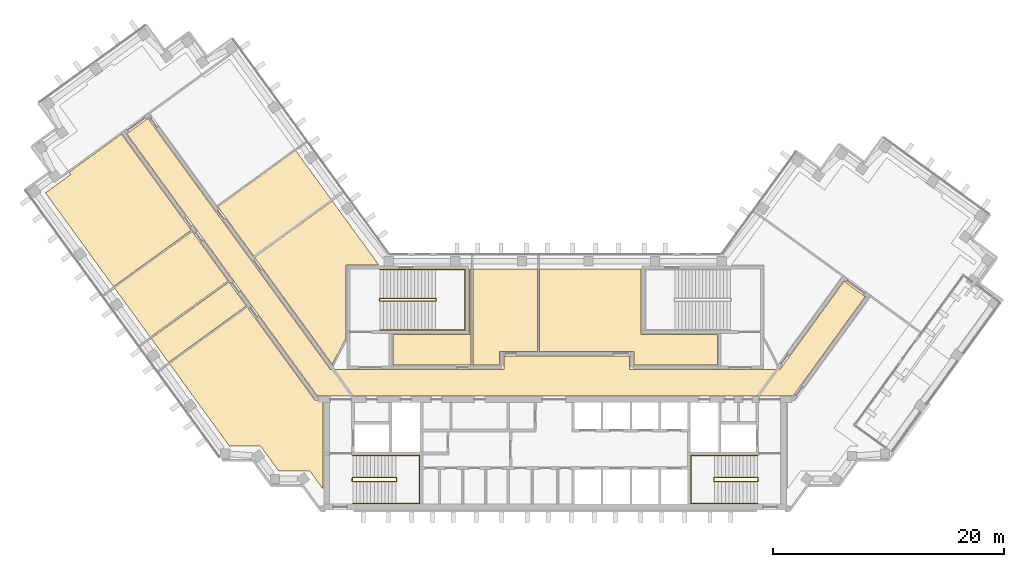
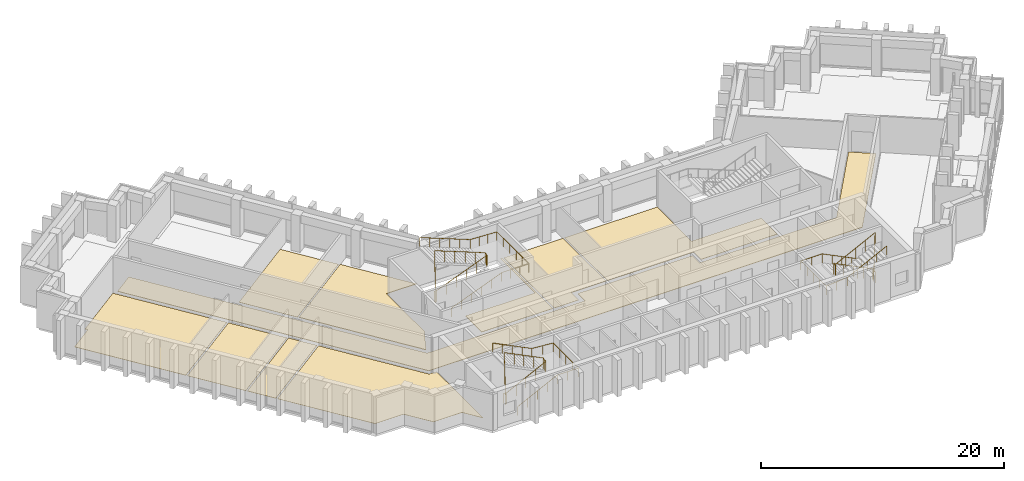
# One storey, part 8 of 10: 10 coverings, 6 railings.
"""IFC4 building model written with IfcOpenShell, lengths in metres."""

from ifc_helpers import new_model, si_unit, direction, frame, origin, origin_2d, place, context, subcontext, project, spatial, polyline, circle, outline, extrude, material, layer, layer_set, type_object, element, save


model = new_model("IFC4")

# Units and contexts
model_context = context("Model", 3, precision=1e-05, world=origin(), true_north=direction((0.0, 1.0)))
body_context = subcontext(model_context, "Body", "Model", "MODEL_VIEW")
ifc_project = project(units=[si_unit("LENGTHUNIT", "METRE"), si_unit("AREAUNIT", "SQUARE_METRE"), si_unit("VOLUMEUNIT", "CUBIC_METRE"), si_unit("PLANEANGLEUNIT", "RADIAN"), si_unit("MASSUNIT", "GRAM", prefix="KILO")], contexts=[model_context])

# Site, building, storey
site_placement = place(None, origin())
site = spatial("IfcSite", under=ifc_project, at=site_placement, CompositionType="ELEMENT")
building_placement = place(site_placement, origin())
building = spatial("IfcBuilding", under=site, at=building_placement, Name="Quipu Civic Tower", CompositionType="ELEMENT")
storey_placement = place(building_placement, frame((0.0, 0.0, 202.0)))
storey = spatial("IfcBuildingStorey", under=building, at=storey_placement, Name="L47", CompositionType="ELEMENT", Elevation=202.0)

# Coverings
ifc_material_1 = material(Name="Carpet tile on raised access floor")
ifc_layer_1 = layer(ifc_material_1, 0.02001953125)
ifc_layer_set_1 = layer_set([ifc_layer_1], Name="Carpet tile on raised access floor")
covering_type_1 = type_object("IfcCoveringType", Name="Carpet tile floor finish 20", PredefinedType="FLOORING", material=ifc_layer_set_1)
covering_1_placement = place(storey_placement, origin())
element("IfcCovering", 1, at=covering_1_placement, inside=storey, type_object=covering_type_1, Name="Carpet tile floor finish 20", PredefinedType="FLOORING", context=body_context, shape_type="SweptSolid", body=[
    extrude(outline(polyline([(-7.1279296875, 9.830078125), (-1.510009765625, 9.830078125), (-1.510009765625, 2.719970703125), (-4.818115234375, 2.719970703125), (-4.820068359375, 1.52001953125), (-7.1279296875, 1.52001953125), (-7.1279296875, 9.830078125)])), origin(), (0.0, 0.0, 1.0), 0.02001953125),
])
covering_2_placement = place(storey_placement, origin())
element("IfcCovering", 2, at=covering_2_placement, inside=storey, type_object=covering_type_1, Name="Carpet tile floor finish 20", PredefinedType="FLOORING", context=body_context, shape_type="SweptSolid", body=[
    extrude(outline(polyline([(-29.1650390625, 15.200927734375), (-22.44189453125, 20.0849609375), (-19.35107421875, 15.8291015625), (-26.073974609375, 10.946044921875), (-29.1650390625, 15.200927734375)])), origin(), (0.0, 0.0, 1.0), 0.02001953125),
])
covering_3_placement = place(storey_placement, origin())
element("IfcCovering", 3, at=covering_3_placement, inside=storey, type_object=covering_type_1, Name="Carpet tile floor finish 20", PredefinedType="FLOORING", context=body_context, shape_type="SweptSolid", body=[
    extrude(outline(polyline([(-38.10693359375, 8.198974609375), (-31.383056640625, 13.08203125), (-28.2919921875, 8.826904296875), (-35.01611328125, 3.943115234375), (-38.10693359375, 8.198974609375)])), origin(), (0.0, 0.0, 1.0), 0.02001953125),
])
covering_4_placement = place(storey_placement, origin())
element("IfcCovering", 4, at=covering_4_placement, inside=storey, type_object=covering_type_1, Name="Carpet tile floor finish 20", PredefinedType="FLOORING", context=body_context, shape_type="SweptSolid", body=[
    extrude(outline(polyline([(-33.344970703125, 1.64501953125), (-26.6220703125, 6.529052734375), (-20.77490234375, -1.51904296875), (-20.070068359375, -1.52001953125), (-20.070068359375, -9.195068359375), (-21.196044921875, -7.64599609375), (-23.89501953125, -7.64599609375), (-25.48193359375, -5.4619140625), (-28.181884765625, -5.4609375), (-33.344970703125, 1.64501953125)])), origin(), (0.0, 0.0, 1.0), 0.02001953125),
])
covering_5_placement = place(storey_placement, origin())
element("IfcCovering", 5, at=covering_5_placement, inside=storey, type_object=covering_type_1, Name="Carpet tile floor finish 20", PredefinedType="FLOORING", context=body_context, shape_type="SweptSolid", body=[
    extrude(outline(polyline([(-1.368896484375, 2.719970703125), (-1.368896484375, 9.830078125), (7.429931640625, 9.830078125), (7.430908203125, 4.179931640625), (14.030029296875, 4.179931640625), (14.030029296875, 1.52001953125), (6.820068359375, 1.52001953125), (6.818115234375, 2.719970703125), (-1.368896484375, 2.719970703125)])), origin(), (0.0, 0.0, 1.0), 0.02001953125),
])
ifc_material_2 = material(Name="Ceramic floor tile")
ifc_layer_2 = layer(ifc_material_2, 0.030029296875)
ifc_layer_set_2 = layer_set([ifc_layer_2], Name="Ceramic floor tile")
covering_type_2 = type_object("IfcCoveringType", Name="Ceramic tile floor finish 30", PredefinedType="FLOORING", material=ifc_layer_set_2)
covering_6_placement = place(storey_placement, origin())
element("IfcCovering", 6, at=covering_6_placement, inside=storey, type_object=covering_type_2, Name="Ceramic tile floor finish 30", PredefinedType="FLOORING", context=body_context, shape_type="SweptSolid", body=[
    extrude(outline(polyline([(-44.074951171875, 16.4140625), (-41.89208984375, 17.9990234375), (-42.0380859375, 18.201904296875), (-37.4990234375, 21.5), (-31.466064453125, 13.195068359375), (-38.18994140625, 8.31201171875), (-44.074951171875, 16.4140625)])), origin(), (0.0, 0.0, 1.0), 0.030029296875),
])
covering_7_placement = place(storey_placement, origin())
element("IfcCovering", 7, at=covering_7_placement, inside=storey, type_object=covering_type_2, Name="Ceramic tile floor finish 30", PredefinedType="FLOORING", context=body_context, shape_type="SweptSolid", body=[
    extrude(outline(polyline([(-14.030029296875, 4.179931640625), (-7.430908203125, 4.179931640625), (-7.429931640625, 9.830078125), (-7.26806640625, 9.830078125), (-7.26806640625, 1.52001953125), (-14.030029296875, 1.52001953125), (-14.030029296875, 4.179931640625)])), origin(), (0.0, 0.0, 1.0), 0.030029296875),
])
covering_8_placement = place(storey_placement, origin())
element("IfcCovering", 8, at=covering_8_placement, inside=storey, type_object=covering_type_2, Name="Ceramic tile floor finish 30", PredefinedType="FLOORING", context=body_context, shape_type="SweptSolid", body=[
    extrude(outline(polyline([(-34.931884765625, 3.830078125), (-28.208984375, 8.714111328125), (-26.705078125, 6.64208984375), (-33.427978515625, 1.758056640625), (-34.931884765625, 3.830078125)])), origin(), (0.0, 0.0, 1.0), 0.030029296875),
])
ifc_material_3 = material(Name="Sealed cement screed")
ifc_layer_3 = layer(ifc_material_3, 0.050048828125)
ifc_layer_set_3 = layer_set([ifc_layer_3], Name="Sealed cement screed")
covering_type_3 = type_object("IfcCoveringType", Name="Sealed screed floor finish 50", PredefinedType="FLOORING", material=ifc_layer_set_3)
covering_9_placement = place(storey_placement, origin())
element("IfcCovering", 9, at=covering_9_placement, inside=storey, type_object=covering_type_3, Name="Sealed screed floor finish 50", PredefinedType="FLOORING", context=body_context, shape_type="SweptSolid", body=[
    extrude(outline(polyline([(-25.990966796875, 10.8330078125), (-19.26806640625, 15.716064453125), (-15.238037109375, 10.169921875), (-18.070068359375, 10.1689453125), (-18.070068359375, 3.94189453125), (-19.27197265625, 1.583984375), (-25.990966796875, 10.8330078125)])), origin(), (0.0, 0.0, 1.0), 0.050048828125),
])

# Railings
ifc_material_4 = material(Name="Stainless steel", Category="steel")
railing_type_1 = type_object("IfcRailingType", Name="Stair guard 1100", PredefinedType="GUARDRAIL", material=ifc_material_4)
railing_1_placement = place(storey_placement, frame((-17.5, -8.550048828125, 0.15380859375)))
element("IfcRailing", 10, at=railing_1_placement, inside=storey, type_object=railing_type_1, Name="Stair 1 guard", PredefinedType="GUARDRAIL", context=body_context, shape_type="SweptSolid", body=[
    extrude(circle(Radius=0.02392578125, at=origin_2d()), frame((0.0, 0.0, 1.076171875), z_axis=(0.895751851347, 0.0, 0.444554407028), x_axis=(0.0, 1.0, 0.0)), (0.0, 0.0, 1.0), 4.15283203125),
    extrude(circle(Radius=0.02392578125, at=origin_2d()), frame((3.719970703125, 0.0, 2.92236328125), z_axis=(0.707106781187, 0.707106781187, 0.0), x_axis=(-0.707106781187, 0.707106781187, 0.0)), (0.0, 0.0, 1.0), 0.07080078125),
    extrude(circle(Radius=0.02392578125, at=origin_2d()), frame((3.77001953125, 0.050048828125, 2.92236328125), z_axis=(0.0, 1.0, 0.0), x_axis=(-1.0, 0.0, 0.0)), (0.0, 0.0, 1.0), 0.25),
    extrude(circle(Radius=0.02392578125, at=origin_2d()), frame((3.77001953125, 0.300048828125, 2.92236328125), z_axis=(-0.295599637079, 0.295599637079, 0.908428152975), x_axis=(-0.707106781187, -0.707106781187, 0.0)), (0.0, 0.0, 1.0), 0.16943359375),
    extrude(circle(Radius=0.02392578125, at=origin_2d()), frame((3.719970703125, 0.35009765625, 3.076171875), z_axis=(-0.895751851347, 0.0, 0.444554407028), x_axis=(0.0, -1.0, 0.0)), (0.0, 0.0, 1.0), 4.15283203125),
    extrude(circle(Radius=0.02392578125, at=origin_2d()), frame((0.0, 0.35009765625, 4.92236328125), z_axis=(-0.012476181752, -0.074796231092, -0.997120789425), x_axis=(0.986372223864, -0.164529134168, 0.0)), (0.0, 0.0, 1.0), 4.011474609375),
    extrude(circle(Radius=0.02392578125, at=origin_2d()), frame((-0.050048828125, 0.050048828125, 0.92236328125), z_axis=(0.0, 1.0, 0.0), x_axis=(-1.0, 0.0, 0.0)), (0.0, 0.0, 1.0), 0.25),
    extrude(circle(Radius=0.02099609375, at=origin_2d()), origin(), (0.0, 0.0, 1.0), 1.052001953125),
    extrude(circle(Radius=0.02099609375, at=origin_2d()), frame((0.929931640625, 0.0, 0.46142578125)), (0.0, 0.0, 1.0), 1.052001953125),
    extrude(circle(Radius=0.02099609375, at=origin_2d()), frame((1.85986328125, 0.0, 0.923095703125)), (0.0, 0.0, 1.0), 1.052001953125),
    extrude(circle(Radius=0.02099609375, at=origin_2d()), frame((2.7900390625, 0.0, 1.384765625)), (0.0, 0.0, 1.0), 1.052001953125),
    extrude(circle(Radius=0.02099609375, at=origin_2d()), frame((3.719970703125, 0.0, 1.84619140625)), (0.0, 0.0, 1.0), 1.052001953125),
    extrude(circle(Radius=0.02099609375, at=origin_2d()), frame((3.77001953125, 0.050048828125, 1.84619140625)), (0.0, 0.0, 1.0), 1.052001953125),
    extrude(circle(Radius=0.02099609375, at=origin_2d()), frame((3.77001953125, 0.300048828125, 1.84619140625)), (0.0, 0.0, 1.0), 1.052001953125),
    extrude(circle(Radius=0.02099609375, at=origin_2d()), frame((3.719970703125, 0.35009765625, 2.0)), (0.0, 0.0, 1.0), 1.052001953125),
    extrude(circle(Radius=0.02099609375, at=origin_2d()), frame((2.7900390625, 0.35009765625, 2.46142578125)), (0.0, 0.0, 1.0), 1.052001953125),
    extrude(circle(Radius=0.02099609375, at=origin_2d()), frame((1.85986328125, 0.35009765625, 2.923095703125)), (0.0, 0.0, 1.0), 1.052001953125),
    extrude(circle(Radius=0.02099609375, at=origin_2d()), frame((0.929931640625, 0.35009765625, 3.384765625)), (0.0, 0.0, 1.0), 1.052001953125),
    extrude(circle(Radius=0.02099609375, at=origin_2d()), frame((0.0, 0.35009765625, 3.84619140625)), (0.0, 0.0, 1.0), 1.052001953125),
    extrude(circle(Radius=0.02099609375, at=origin_2d()), frame((-0.012451171875, 0.275146484375, 2.84619140625)), (0.0, 0.0, 1.0), 1.052001953125),
    extrude(circle(Radius=0.02099609375, at=origin_2d()), frame((-0.02490234375, 0.2001953125, 1.84619140625)), (0.0, 0.0, 1.0), 1.052001953125),
    extrude(circle(Radius=0.02099609375, at=origin_2d()), frame((-0.03759765625, 0.125, 0.84619140625)), (0.0, 0.0, 1.0), 1.052001953125),
    extrude(circle(Radius=0.02099609375, at=origin_2d()), frame((-0.050048828125, 0.050048828125, -0.15380859375)), (0.0, 0.0, 1.0), 1.052001953125),
    extrude(circle(Radius=0.02099609375, at=origin_2d()), frame((-0.050048828125, 0.300048828125, -0.15380859375)), (0.0, 0.0, 1.0), 1.052001953125),
])
railing_2_placement = place(storey_placement, frame((17.5, -8.199951171875, 0.15380859375)))
element("IfcRailing", 11, at=railing_2_placement, inside=storey, type_object=railing_type_1, Name="Stair 2 guard", PredefinedType="GUARDRAIL", context=body_context, shape_type="SweptSolid", body=[
    extrude(circle(Radius=0.02392578125, at=origin_2d()), frame((0.0, 0.0, 1.076171875), z_axis=(-0.895751851347, 0.0, 0.444554407028), x_axis=(0.0, -1.0, 0.0)), (0.0, 0.0, 1.0), 4.15283203125),
    extrude(circle(Radius=0.02392578125, at=origin_2d()), frame((-3.719970703125, 0.0, 2.92236328125), z_axis=(-0.707106781187, -0.707106781187, 0.0), x_axis=(0.707106781187, -0.707106781187, 0.0)), (0.0, 0.0, 1.0), 0.07080078125),
    extrude(circle(Radius=0.02392578125, at=origin_2d()), frame((-3.77001953125, -0.050048828125, 2.92236328125), z_axis=(0.0, -1.0, 0.0), x_axis=(1.0, 0.0, 0.0)), (0.0, 0.0, 1.0), 0.25),
    extrude(circle(Radius=0.02392578125, at=origin_2d()), frame((-3.77001953125, -0.300048828125, 2.92236328125), z_axis=(0.295599637079, -0.295599637079, 0.908428152975), x_axis=(0.707106781187, 0.707106781187, 0.0)), (0.0, 0.0, 1.0), 0.16943359375),
    extrude(circle(Radius=0.02392578125, at=origin_2d()), frame((-3.719970703125, -0.35009765625, 3.076171875), z_axis=(0.895751851347, 0.0, 0.444554407028), x_axis=(0.0, 1.0, 0.0)), (0.0, 0.0, 1.0), 4.15283203125),
    extrude(circle(Radius=0.02392578125, at=origin_2d()), frame((0.0, -0.35009765625, 4.92236328125), z_axis=(0.012476181752, 0.074796231092, -0.997120789425), x_axis=(-0.986372223864, 0.164529134168, 0.0)), (0.0, 0.0, 1.0), 4.011474609375),
    extrude(circle(Radius=0.02392578125, at=origin_2d()), frame((0.050048828125, -0.050048828125, 0.92236328125), z_axis=(0.0, -1.0, 0.0), x_axis=(1.0, 0.0, 0.0)), (0.0, 0.0, 1.0), 0.25),
    extrude(circle(Radius=0.02099609375, at=origin_2d()), origin(), (0.0, 0.0, 1.0), 1.052001953125),
    extrude(circle(Radius=0.02099609375, at=origin_2d()), frame((-0.929931640625, 0.0, 0.46142578125)), (0.0, 0.0, 1.0), 1.052001953125),
    extrude(circle(Radius=0.02099609375, at=origin_2d()), frame((-1.85986328125, 0.0, 0.923095703125)), (0.0, 0.0, 1.0), 1.052001953125),
    extrude(circle(Radius=0.02099609375, at=origin_2d()), frame((-2.7900390625, 0.0, 1.384765625)), (0.0, 0.0, 1.0), 1.052001953125),
    extrude(circle(Radius=0.02099609375, at=origin_2d()), frame((-3.719970703125, 0.0, 1.84619140625)), (0.0, 0.0, 1.0), 1.052001953125),
    extrude(circle(Radius=0.02099609375, at=origin_2d()), frame((-3.77001953125, -0.050048828125, 1.84619140625)), (0.0, 0.0, 1.0), 1.052001953125),
    extrude(circle(Radius=0.02099609375, at=origin_2d()), frame((-3.77001953125, -0.300048828125, 1.84619140625)), (0.0, 0.0, 1.0), 1.052001953125),
    extrude(circle(Radius=0.02099609375, at=origin_2d()), frame((-3.719970703125, -0.35009765625, 2.0)), (0.0, 0.0, 1.0), 1.052001953125),
    extrude(circle(Radius=0.02099609375, at=origin_2d()), frame((-2.7900390625, -0.35009765625, 2.46142578125)), (0.0, 0.0, 1.0), 1.052001953125),
    extrude(circle(Radius=0.02099609375, at=origin_2d()), frame((-1.85986328125, -0.35009765625, 2.923095703125)), (0.0, 0.0, 1.0), 1.052001953125),
    extrude(circle(Radius=0.02099609375, at=origin_2d()), frame((-0.929931640625, -0.35009765625, 3.384765625)), (0.0, 0.0, 1.0), 1.052001953125),
    extrude(circle(Radius=0.02099609375, at=origin_2d()), frame((0.0, -0.35009765625, 3.84619140625)), (0.0, 0.0, 1.0), 1.052001953125),
    extrude(circle(Radius=0.02099609375, at=origin_2d()), frame((0.012451171875, -0.275146484375, 2.84619140625)), (0.0, 0.0, 1.0), 1.052001953125),
    extrude(circle(Radius=0.02099609375, at=origin_2d()), frame((0.02490234375, -0.2001953125, 1.84619140625)), (0.0, 0.0, 1.0), 1.052001953125),
    extrude(circle(Radius=0.02099609375, at=origin_2d()), frame((0.03759765625, -0.125, 0.84619140625)), (0.0, 0.0, 1.0), 1.052001953125),
    extrude(circle(Radius=0.02099609375, at=origin_2d()), frame((0.050048828125, -0.050048828125, -0.15380859375)), (0.0, 0.0, 1.0), 1.052001953125),
    extrude(circle(Radius=0.02099609375, at=origin_2d()), frame((0.050048828125, -0.300048828125, -0.15380859375)), (0.0, 0.0, 1.0), 1.052001953125),
])
railing_3_placement = place(storey_placement, frame((-15.14990234375, 7.050048828125, 0.11767578125)))
element("IfcRailing", 12, at=railing_3_placement, inside=storey, type_object=railing_type_1, Name="Stair 3 guard", PredefinedType="GUARDRAIL", context=body_context, shape_type="SweptSolid", body=[
    extrude(circle(Radius=0.02392578125, at=origin_2d()), frame((0.0, 0.0, 1.076171875), z_axis=(0.930970042603, 0.0, 0.365095576219), x_axis=(0.0, 1.0, 0.0)), (0.0, 0.0, 1.0), 5.15576171875),
    extrude(circle(Radius=0.02392578125, at=origin_2d()), frame((4.7998046875, 0.0, 2.95849609375), z_axis=(0.707106781187, 0.707106781187, 0.0), x_axis=(-0.707106781187, 0.707106781187, 0.0)), (0.0, 0.0, 1.0), 0.07080078125),
    extrude(circle(Radius=0.02392578125, at=origin_2d()), frame((4.849853515625, 0.050048828125, 2.95849609375), z_axis=(0.0, 1.0, 0.0), x_axis=(-1.0, 0.0, 0.0)), (0.0, 0.0, 1.0), 0.14990234375),
    extrude(circle(Radius=0.02392578125, at=origin_2d()), frame((4.849853515625, 0.199951171875, 2.95849609375), z_axis=(-0.364463019033, 0.364463019033, 0.856932561824), x_axis=(-0.707106781187, -0.707106781187, 0.0)), (0.0, 0.0, 1.0), 0.13720703125),
    extrude(circle(Radius=0.02392578125, at=origin_2d()), frame((4.7998046875, 0.25, 3.076171875), z_axis=(-0.930970042603, 0.0, 0.365095576219), x_axis=(0.0, -1.0, 0.0)), (0.0, 0.0, 1.0), 5.15576171875),
    extrude(circle(Radius=0.02392578125, at=origin_2d()), frame((0.0, 0.25, 4.95849609375), z_axis=(-0.012495627992, -0.049921557685, -0.998674970829), x_axis=(0.970072785993, -0.242814311512, 0.0)), (0.0, 0.0, 1.0), 4.00537109375),
    extrude(circle(Radius=0.02392578125, at=origin_2d()), frame((-0.050048828125, 0.050048828125, 0.95849609375), z_axis=(0.0, 1.0, 0.0), x_axis=(-1.0, 0.0, 0.0)), (0.0, 0.0, 1.0), 0.14990234375),
    extrude(circle(Radius=0.02099609375, at=origin_2d()), origin(), (0.0, 0.0, 1.0), 1.052001953125),
    extrude(circle(Radius=0.02099609375, at=origin_2d()), frame((0.9599609375, 0.0, 0.37646484375)), (0.0, 0.0, 1.0), 1.052001953125),
    extrude(circle(Radius=0.02099609375, at=origin_2d()), frame((1.919921875, 0.0, 0.7529296875)), (0.0, 0.0, 1.0), 1.052001953125),
    extrude(circle(Radius=0.02099609375, at=origin_2d()), frame((2.8798828125, 0.0, 1.12939453125)), (0.0, 0.0, 1.0), 1.052001953125),
    extrude(circle(Radius=0.02099609375, at=origin_2d()), frame((3.83984375, 0.0, 1.505859375)), (0.0, 0.0, 1.0), 1.052001953125),
    extrude(circle(Radius=0.02099609375, at=origin_2d()), frame((4.7998046875, 0.0, 1.88232421875)), (0.0, 0.0, 1.0), 1.052001953125),
    extrude(circle(Radius=0.02099609375, at=origin_2d()), frame((4.849853515625, 0.050048828125, 1.88232421875)), (0.0, 0.0, 1.0), 1.052001953125),
    extrude(circle(Radius=0.02099609375, at=origin_2d()), frame((4.849853515625, 0.199951171875, 1.88232421875)), (0.0, 0.0, 1.0), 1.052001953125),
    extrude(circle(Radius=0.02099609375, at=origin_2d()), frame((4.7998046875, 0.25, 2.0)), (0.0, 0.0, 1.0), 1.052001953125),
    extrude(circle(Radius=0.02099609375, at=origin_2d()), frame((3.83984375, 0.25, 2.37646484375)), (0.0, 0.0, 1.0), 1.052001953125),
    extrude(circle(Radius=0.02099609375, at=origin_2d()), frame((2.8798828125, 0.25, 2.7529296875)), (0.0, 0.0, 1.0), 1.052001953125),
    extrude(circle(Radius=0.02099609375, at=origin_2d()), frame((1.919921875, 0.25, 3.12939453125)), (0.0, 0.0, 1.0), 1.052001953125),
    extrude(circle(Radius=0.02099609375, at=origin_2d()), frame((0.9599609375, 0.25, 3.505859375)), (0.0, 0.0, 1.0), 1.052001953125),
    extrude(circle(Radius=0.02099609375, at=origin_2d()), frame((0.0, 0.25, 3.88232421875)), (0.0, 0.0, 1.0), 1.052001953125),
    extrude(circle(Radius=0.02099609375, at=origin_2d()), frame((-0.012451171875, 0.199951171875, 2.88232421875)), (0.0, 0.0, 1.0), 1.052001953125),
    extrude(circle(Radius=0.02099609375, at=origin_2d()), frame((-0.02490234375, 0.14990234375, 1.88232421875)), (0.0, 0.0, 1.0), 1.052001953125),
    extrude(circle(Radius=0.02099609375, at=origin_2d()), frame((-0.03759765625, 0.10009765625, 0.88232421875)), (0.0, 0.0, 1.0), 1.052001953125),
    extrude(circle(Radius=0.02099609375, at=origin_2d()), frame((-0.050048828125, 0.050048828125, -0.11767578125)), (0.0, 0.0, 1.0), 1.052001953125),
    extrude(circle(Radius=0.02099609375, at=origin_2d()), frame((-0.050048828125, 0.199951171875, -0.11767578125)), (0.0, 0.0, 1.0), 1.052001953125),
])
ifc_material_5 = material(Name="Stainless steel", Category="steel")
railing_type_2 = type_object("IfcRailingType", Name="Stair handrail", PredefinedType="HANDRAIL", material=ifc_material_5)
railing_4_placement = place(storey_placement, frame((-17.5, -10.449951171875, 0.15380859375)))
element("IfcRailing", 13, at=railing_4_placement, inside=storey, type_object=railing_type_2, Name="Stair 1 handrail", PredefinedType="HANDRAIL", context=body_context, shape_type="SweptSolid", body=[
    extrude(circle(Radius=0.02392578125, at=origin_2d()), frame((0.0, 0.0, 0.8759765625), z_axis=(0.895751851347, 0.0, 0.444554407028), x_axis=(0.0, 1.0, 0.0)), (0.0, 0.0, 1.0), 4.15283203125),
    extrude(circle(Radius=0.02392578125, at=origin_2d()), frame((3.719970703125, 0.0, 2.72216796875), z_axis=(1.0, 0.0, 0.0), x_axis=(0.0, 1.0, 0.0)), (0.0, 0.0, 1.0), 2.030029296875),
    extrude(circle(Radius=0.02392578125, at=origin_2d()), frame((5.75, 0.0, 2.72216796875), z_axis=(0.0, 1.0, 0.0), x_axis=(-1.0, 0.0, 0.0)), (0.0, 0.0, 1.0), 4.14990234375),
    extrude(circle(Radius=0.02392578125, at=origin_2d()), frame((5.75, 4.14990234375, 2.72216796875), z_axis=(-0.997142003663, 0.0, 0.075550145798), x_axis=(0.0, -1.0, 0.0)), (0.0, 0.0, 1.0), 2.035888671875),
    extrude(circle(Radius=0.02392578125, at=origin_2d()), frame((3.719970703125, 4.14990234375, 2.8759765625), z_axis=(-0.895751851347, 0.0, 0.444554407028), x_axis=(0.0, -1.0, 0.0)), (0.0, 0.0, 1.0), 4.15283203125),
    extrude(circle(Radius=0.02099609375, at=origin_2d()), origin(), (0.0, 0.0, 1.0), 0.851806640625),
    extrude(circle(Radius=0.02099609375, at=origin_2d()), frame((0.929931640625, 0.0, 0.46142578125)), (0.0, 0.0, 1.0), 0.851806640625),
    extrude(circle(Radius=0.02099609375, at=origin_2d()), frame((1.85986328125, 0.0, 0.923095703125)), (0.0, 0.0, 1.0), 0.851806640625),
    extrude(circle(Radius=0.02099609375, at=origin_2d()), frame((2.7900390625, 0.0, 1.384765625)), (0.0, 0.0, 1.0), 0.851806640625),
    extrude(circle(Radius=0.02099609375, at=origin_2d()), frame((3.719970703125, 0.0, 1.84619140625)), (0.0, 0.0, 1.0), 0.851806640625),
    extrude(circle(Radius=0.02099609375, at=origin_2d()), frame((4.73486328125, 0.0, 1.84619140625)), (0.0, 0.0, 1.0), 0.851806640625),
    extrude(circle(Radius=0.02099609375, at=origin_2d()), frame((5.75, 0.0, 1.84619140625)), (0.0, 0.0, 1.0), 0.851806640625),
    extrude(circle(Radius=0.02099609375, at=origin_2d()), frame((5.75, 1.03759765625, 1.84619140625)), (0.0, 0.0, 1.0), 0.851806640625),
    extrude(circle(Radius=0.02099609375, at=origin_2d()), frame((5.75, 2.074951171875, 1.84619140625)), (0.0, 0.0, 1.0), 0.851806640625),
    extrude(circle(Radius=0.02099609375, at=origin_2d()), frame((5.75, 3.1123046875, 1.84619140625)), (0.0, 0.0, 1.0), 0.851806640625),
    extrude(circle(Radius=0.02099609375, at=origin_2d()), frame((5.75, 4.14990234375, 1.84619140625)), (0.0, 0.0, 1.0), 0.851806640625),
    extrude(circle(Radius=0.02099609375, at=origin_2d()), frame((4.73486328125, 4.14990234375, 1.923095703125)), (0.0, 0.0, 1.0), 0.851806640625),
    extrude(circle(Radius=0.02099609375, at=origin_2d()), frame((3.719970703125, 4.14990234375, 2.0)), (0.0, 0.0, 1.0), 0.851806640625),
    extrude(circle(Radius=0.02099609375, at=origin_2d()), frame((2.7900390625, 4.14990234375, 2.46142578125)), (0.0, 0.0, 1.0), 0.851806640625),
    extrude(circle(Radius=0.02099609375, at=origin_2d()), frame((1.85986328125, 4.14990234375, 2.923095703125)), (0.0, 0.0, 1.0), 0.851806640625),
    extrude(circle(Radius=0.02099609375, at=origin_2d()), frame((0.929931640625, 4.14990234375, 3.384765625)), (0.0, 0.0, 1.0), 0.851806640625),
    extrude(circle(Radius=0.02099609375, at=origin_2d()), frame((0.0, 4.14990234375, 3.84619140625)), (0.0, 0.0, 1.0), 0.851806640625),
])
railing_5_placement = place(storey_placement, frame((17.5, -6.300048828125, 0.15380859375)))
element("IfcRailing", 14, at=railing_5_placement, inside=storey, type_object=railing_type_2, Name="Stair 2 handrail", PredefinedType="HANDRAIL", context=body_context, shape_type="SweptSolid", body=[
    extrude(circle(Radius=0.02392578125, at=origin_2d()), frame((0.0, 0.0, 0.8759765625), z_axis=(-0.895751851347, 0.0, 0.444554407028), x_axis=(0.0, -1.0, 0.0)), (0.0, 0.0, 1.0), 4.15283203125),
    extrude(circle(Radius=0.02392578125, at=origin_2d()), frame((-3.719970703125, 0.0, 2.72216796875), z_axis=(-1.0, 0.0, 0.0), x_axis=(0.0, -1.0, 0.0)), (0.0, 0.0, 1.0), 2.030029296875),
    extrude(circle(Radius=0.02392578125, at=origin_2d()), frame((-5.75, 0.0, 2.72216796875), z_axis=(0.0, -1.0, 0.0), x_axis=(1.0, 0.0, 0.0)), (0.0, 0.0, 1.0), 4.14990234375),
    extrude(circle(Radius=0.02392578125, at=origin_2d()), frame((-5.75, -4.14990234375, 2.72216796875), z_axis=(0.997142003663, 0.0, 0.075550145798), x_axis=(0.0, 1.0, 0.0)), (0.0, 0.0, 1.0), 2.035888671875),
    extrude(circle(Radius=0.02392578125, at=origin_2d()), frame((-3.719970703125, -4.14990234375, 2.8759765625), z_axis=(0.895751851347, 0.0, 0.444554407028), x_axis=(0.0, 1.0, 0.0)), (0.0, 0.0, 1.0), 4.15283203125),
    extrude(circle(Radius=0.02099609375, at=origin_2d()), origin(), (0.0, 0.0, 1.0), 0.851806640625),
    extrude(circle(Radius=0.02099609375, at=origin_2d()), frame((-0.929931640625, 0.0, 0.46142578125)), (0.0, 0.0, 1.0), 0.851806640625),
    extrude(circle(Radius=0.02099609375, at=origin_2d()), frame((-1.85986328125, 0.0, 0.923095703125)), (0.0, 0.0, 1.0), 0.851806640625),
    extrude(circle(Radius=0.02099609375, at=origin_2d()), frame((-2.7900390625, 0.0, 1.384765625)), (0.0, 0.0, 1.0), 0.851806640625),
    extrude(circle(Radius=0.02099609375, at=origin_2d()), frame((-3.719970703125, 0.0, 1.84619140625)), (0.0, 0.0, 1.0), 0.851806640625),
    extrude(circle(Radius=0.02099609375, at=origin_2d()), frame((-4.73486328125, 0.0, 1.84619140625)), (0.0, 0.0, 1.0), 0.851806640625),
    extrude(circle(Radius=0.02099609375, at=origin_2d()), frame((-5.75, 0.0, 1.84619140625)), (0.0, 0.0, 1.0), 0.851806640625),
    extrude(circle(Radius=0.02099609375, at=origin_2d()), frame((-5.75, -1.03759765625, 1.84619140625)), (0.0, 0.0, 1.0), 0.851806640625),
    extrude(circle(Radius=0.02099609375, at=origin_2d()), frame((-5.75, -2.074951171875, 1.84619140625)), (0.0, 0.0, 1.0), 0.851806640625),
    extrude(circle(Radius=0.02099609375, at=origin_2d()), frame((-5.75, -3.1123046875, 1.84619140625)), (0.0, 0.0, 1.0), 0.851806640625),
    extrude(circle(Radius=0.02099609375, at=origin_2d()), frame((-5.75, -4.14990234375, 1.84619140625)), (0.0, 0.0, 1.0), 0.851806640625),
    extrude(circle(Radius=0.02099609375, at=origin_2d()), frame((-4.73486328125, -4.14990234375, 1.923095703125)), (0.0, 0.0, 1.0), 0.851806640625),
    extrude(circle(Radius=0.02099609375, at=origin_2d()), frame((-3.719970703125, -4.14990234375, 2.0)), (0.0, 0.0, 1.0), 0.851806640625),
    extrude(circle(Radius=0.02099609375, at=origin_2d()), frame((-2.7900390625, -4.14990234375, 2.46142578125)), (0.0, 0.0, 1.0), 0.851806640625),
    extrude(circle(Radius=0.02099609375, at=origin_2d()), frame((-1.85986328125, -4.14990234375, 2.923095703125)), (0.0, 0.0, 1.0), 0.851806640625),
    extrude(circle(Radius=0.02099609375, at=origin_2d()), frame((-0.929931640625, -4.14990234375, 3.384765625)), (0.0, 0.0, 1.0), 0.851806640625),
    extrude(circle(Radius=0.02099609375, at=origin_2d()), frame((0.0, -4.14990234375, 3.84619140625)), (0.0, 0.0, 1.0), 0.851806640625),
])
railing_6_placement = place(storey_placement, frame((-15.14990234375, 4.550048828125, 0.11767578125)))
element("IfcRailing", 15, at=railing_6_placement, inside=storey, type_object=railing_type_2, Name="Stair 3 handrail", PredefinedType="HANDRAIL", context=body_context, shape_type="SweptSolid", body=[
    extrude(circle(Radius=0.02392578125, at=origin_2d()), frame((0.0, 0.0, 0.8759765625), z_axis=(0.930970042603, 0.0, 0.365095576219), x_axis=(0.0, 1.0, 0.0)), (0.0, 0.0, 1.0), 5.15576171875),
    extrude(circle(Radius=0.02392578125, at=origin_2d()), frame((4.7998046875, 0.0, 2.75830078125), z_axis=(1.0, 0.0, 0.0), x_axis=(0.0, 1.0, 0.0)), (0.0, 0.0, 1.0), 2.550048828125),
    extrude(circle(Radius=0.02392578125, at=origin_2d()), frame((7.349853515625, 0.0, 2.75830078125), z_axis=(0.0, 1.0, 0.0), x_axis=(-1.0, 0.0, 0.0)), (0.0, 0.0, 1.0), 5.25),
    extrude(circle(Radius=0.02392578125, at=origin_2d()), frame((7.349853515625, 5.25, 2.75830078125), z_axis=(-0.998936948642, 0.0, 0.04609742549), x_axis=(0.0, -1.0, 0.0)), (0.0, 0.0, 1.0), 2.552734375),
    extrude(circle(Radius=0.02392578125, at=origin_2d()), frame((4.7998046875, 5.25, 2.8759765625), z_axis=(-0.930970042603, 0.0, 0.365095576219), x_axis=(0.0, -1.0, 0.0)), (0.0, 0.0, 1.0), 5.15576171875),
    extrude(circle(Radius=0.02099609375, at=origin_2d()), origin(), (0.0, 0.0, 1.0), 0.851806640625),
    extrude(circle(Radius=0.02099609375, at=origin_2d()), frame((0.9599609375, 0.0, 0.37646484375)), (0.0, 0.0, 1.0), 0.851806640625),
    extrude(circle(Radius=0.02099609375, at=origin_2d()), frame((1.919921875, 0.0, 0.7529296875)), (0.0, 0.0, 1.0), 0.851806640625),
    extrude(circle(Radius=0.02099609375, at=origin_2d()), frame((2.8798828125, 0.0, 1.12939453125)), (0.0, 0.0, 1.0), 0.851806640625),
    extrude(circle(Radius=0.02099609375, at=origin_2d()), frame((3.83984375, 0.0, 1.505859375)), (0.0, 0.0, 1.0), 0.851806640625),
    extrude(circle(Radius=0.02099609375, at=origin_2d()), frame((4.7998046875, 0.0, 1.88232421875)), (0.0, 0.0, 1.0), 0.851806640625),
    extrude(circle(Radius=0.02099609375, at=origin_2d()), frame((5.64990234375, 0.0, 1.88232421875)), (0.0, 0.0, 1.0), 0.851806640625),
    extrude(circle(Radius=0.02099609375, at=origin_2d()), frame((6.499755859375, 0.0, 1.88232421875)), (0.0, 0.0, 1.0), 0.851806640625),
    extrude(circle(Radius=0.02099609375, at=origin_2d()), frame((7.349853515625, 0.0, 1.88232421875)), (0.0, 0.0, 1.0), 0.851806640625),
    extrude(circle(Radius=0.02099609375, at=origin_2d()), frame((7.349853515625, 1.050048828125, 1.88232421875)), (0.0, 0.0, 1.0), 0.851806640625),
    extrude(circle(Radius=0.02099609375, at=origin_2d()), frame((7.349853515625, 2.10009765625, 1.88232421875)), (0.0, 0.0, 1.0), 0.851806640625),
    extrude(circle(Radius=0.02099609375, at=origin_2d()), frame((7.349853515625, 3.14990234375, 1.88232421875)), (0.0, 0.0, 1.0), 0.851806640625),
    extrude(circle(Radius=0.02099609375, at=origin_2d()), frame((7.349853515625, 4.199951171875, 1.88232421875)), (0.0, 0.0, 1.0), 0.851806640625),
    extrude(circle(Radius=0.02099609375, at=origin_2d()), frame((7.349853515625, 5.25, 1.88232421875)), (0.0, 0.0, 1.0), 0.851806640625),
    extrude(circle(Radius=0.02099609375, at=origin_2d()), frame((6.499755859375, 5.25, 1.921630859375)), (0.0, 0.0, 1.0), 0.851806640625),
    extrude(circle(Radius=0.02099609375, at=origin_2d()), frame((5.64990234375, 5.25, 1.960693359375)), (0.0, 0.0, 1.0), 0.851806640625),
    extrude(circle(Radius=0.02099609375, at=origin_2d()), frame((4.7998046875, 5.25, 2.0)), (0.0, 0.0, 1.0), 0.851806640625),
    extrude(circle(Radius=0.02099609375, at=origin_2d()), frame((3.83984375, 5.25, 2.37646484375)), (0.0, 0.0, 1.0), 0.851806640625),
    extrude(circle(Radius=0.02099609375, at=origin_2d()), frame((2.8798828125, 5.25, 2.7529296875)), (0.0, 0.0, 1.0), 0.851806640625),
    extrude(circle(Radius=0.02099609375, at=origin_2d()), frame((1.919921875, 5.25, 3.12939453125)), (0.0, 0.0, 1.0), 0.851806640625),
    extrude(circle(Radius=0.02099609375, at=origin_2d()), frame((0.9599609375, 5.25, 3.505859375)), (0.0, 0.0, 1.0), 0.851806640625),
    extrude(circle(Radius=0.02099609375, at=origin_2d()), frame((0.0, 5.25, 3.88232421875)), (0.0, 0.0, 1.0), 0.851806640625),
])

# Covering
ifc_material_6 = material(Name="Terrazzo floor finish")
ifc_layer_4 = layer(ifc_material_6, 0.0400390625)
ifc_layer_set_4 = layer_set([ifc_layer_4], Name="Terrazzo floor finish")
covering_type_4 = type_object("IfcCoveringType", Name="Terrazzo floor finish 40", PredefinedType="FLOORING", material=ifc_layer_set_4)
covering_10_placement = place(storey_placement, origin())
element("IfcCovering", 16, at=covering_10_placement, inside=storey, type_object=covering_type_4, Name="Terrazzo floor finish 40", PredefinedType="FLOORING", context=body_context, shape_type="SweptSolid", body=[
    extrude(outline(polyline([(19.425048828125, 1.1298828125), (24.98095703125, 8.778076171875), (26.80908203125, 7.450927734375), (20.574951171875, -1.1298828125), (-20.574951171875, -1.1298828125), (-37.037109375, 21.527099609375), (-35.208984375, 22.85498046875), (-19.425048828125, 1.1298828125), (-4.429931640625, 1.1298828125), (-4.429931640625, 2.330078125), (6.429931640625, 2.330078125), (6.429931640625, 1.1298828125), (19.425048828125, 1.1298828125)])), origin(), (0.0, 0.0, 1.0), 0.0400390625),
])

save(model, "model.ifc")
